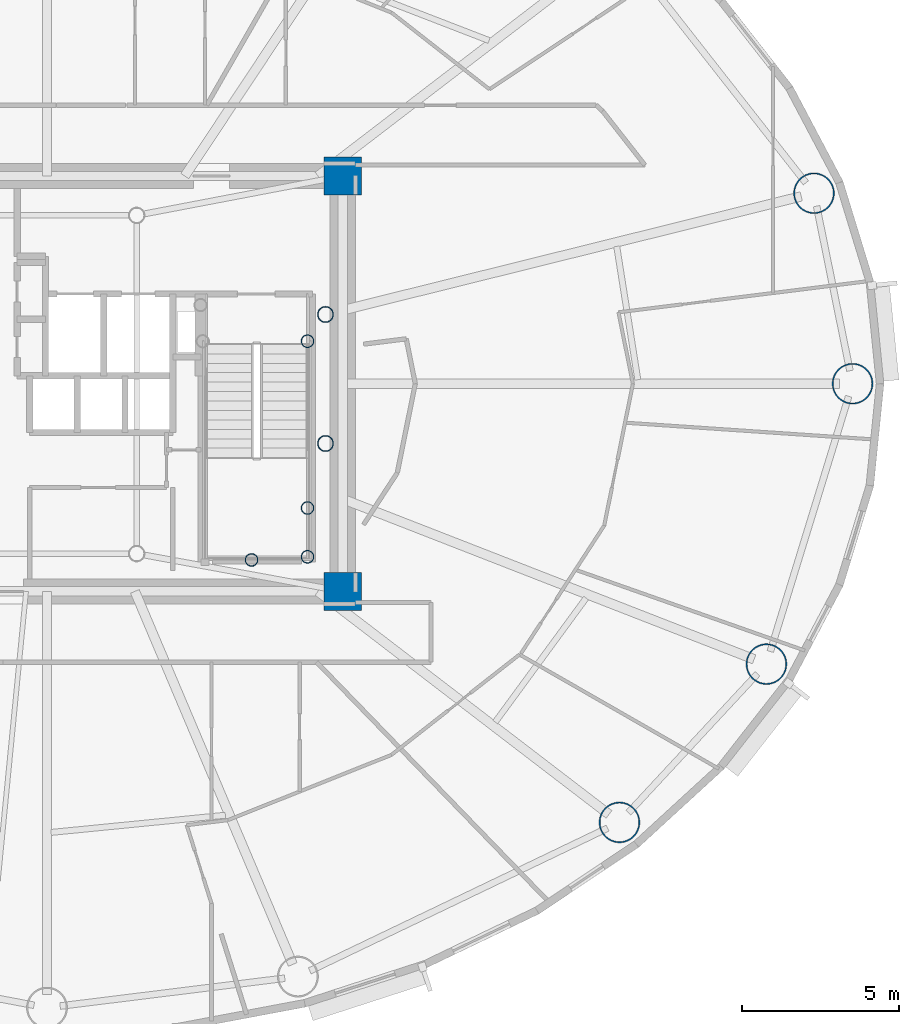
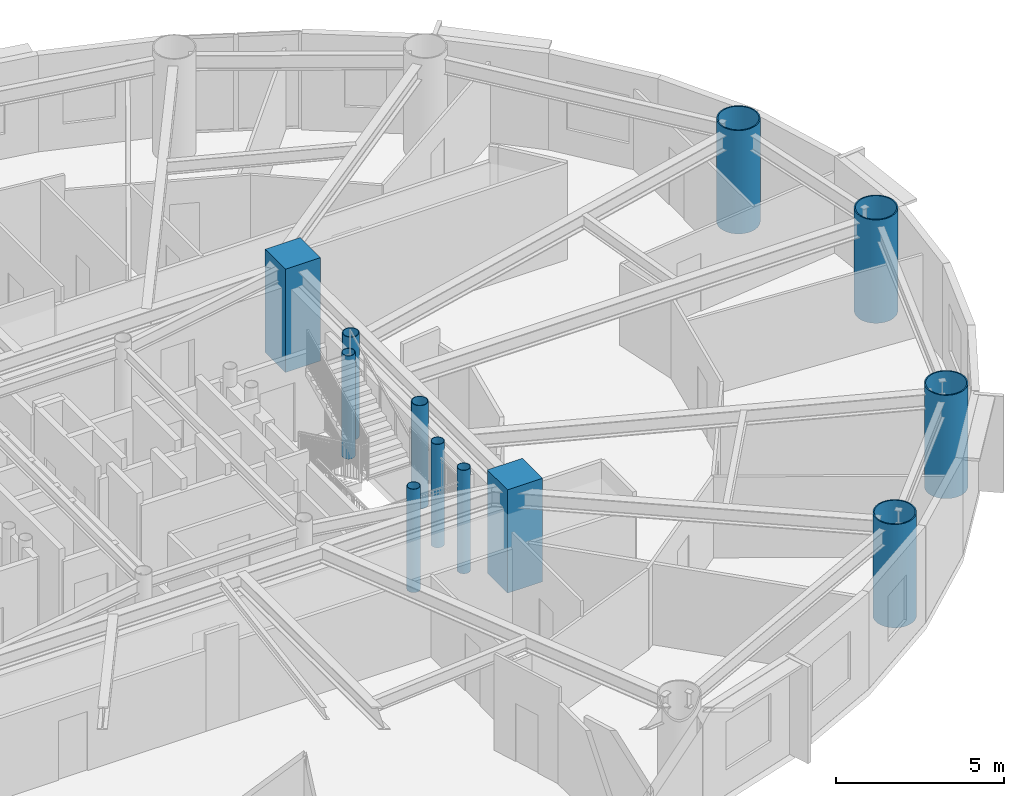
# One storey, part 2 of 17: 12 columns.
"""IFC4 building model written with IfcOpenShell, lengths in metres."""

from ifc_helpers import new_model, si_unit, direction, frame, origin, origin_2d, place, context, subcontext, project, spatial, rectangle, hollow_circle, extrude, material, material_profile, profile_set, type_object, element, save


model = new_model("IFC4")

# Units and contexts
model_context = context("Model", 3, precision=1e-05, world=origin(), true_north=direction((0.0, 1.0)))
body_context = subcontext(model_context, "Body", "Model", "MODEL_VIEW")
ifc_project = project(units=[si_unit("LENGTHUNIT", "METRE"), si_unit("AREAUNIT", "SQUARE_METRE"), si_unit("VOLUMEUNIT", "CUBIC_METRE"), si_unit("PLANEANGLEUNIT", "RADIAN"), si_unit("MASSUNIT", "GRAM", prefix="KILO")], contexts=[model_context])

# Site, building, storey
site_placement = place(None, origin())
site = spatial("IfcSite", under=ifc_project, at=site_placement, CompositionType="ELEMENT")
building_placement = place(site_placement, origin())
building = spatial("IfcBuilding", under=site, at=building_placement, Name="Linh Dai School and Residence Tower", CompositionType="ELEMENT")
storey_placement = place(building_placement, frame((0.0, 0.0, 197.39990234375)))
storey = spatial("IfcBuildingStorey", under=building, at=storey_placement, Name="L48", CompositionType="ELEMENT", Elevation=197.39990234375)

# Columns
ifc_material_1 = material(Name="Concrete B60 (C50/60)", Category="concrete")
ifc_material_profile_1 = material_profile(ifc_material_1, rectangle(XDim=1.199951171875, YDim=1.199951171875, at=origin_2d()), Name="RC 1200x1200")
ifc_profile_set_1 = profile_set([ifc_material_profile_1], Name="Concrete B60 (C50/60)")
column_type_1 = type_object("IfcColumnType", Name="COL-CC2", PredefinedType="COLUMN", material=ifc_profile_set_1)
for number, where, z_axis, x_axis, name in (
    (1, (45.39990234375, 20.39990234375, 0.0), (0.0, 0.0, 1.0), (1.0, 0.0, 0.0), "L48 Core Corner Pier CC2"),
    (2, (45.39990234375, 33.60009765625, 0.0), (0.0, 0.0, 1.0), (1.0, 0.0, 0.0), "L48 Core Corner Pier CC3"),
):
    element("IfcColumn", number, at=place(storey_placement, frame(where, z_axis=z_axis, x_axis=x_axis)), inside=storey, type_object=column_type_1, Name=name, PredefinedType="COLUMN", context=body_context, shape_type="SweptSolid", body=[
        extrude(rectangle(XDim=1.199951171875, YDim=1.199951171875, at=origin_2d()), origin(), (0.0, 0.0, 1.0), 3.75),
    ])
ifc_material_2 = material(Name="Structural Steel S355JR", Category="steel")
ifc_material_profile_2 = material_profile(ifc_material_2, hollow_circle(Radius=0.203125, WallThickness=0.01611328125, at=origin_2d()), Name="CHS 406.4x16")
ifc_profile_set_2 = profile_set([ifc_material_profile_2], Name="Structural Steel S355JR")
column_type_2 = type_object("IfcColumnType", Name="COL-EC", PredefinedType="COLUMN", material=ifc_profile_set_2)
for number, where, z_axis, x_axis, name in (
    (3, (44.280029296875, 21.5, 0.0), (0.0, 0.0, 1.0), (1.0, 0.0, 0.0), "L48 Stair Shaft Landing Support Pier ST2SE"),
    (4, (44.280029296875, 23.050048828125, 0.0), (0.0, 0.0, 1.0), (1.0, 0.0, 0.0), "L48 Stair Shaft Landing Support Pier ST2NE"),
    (5, (42.5, 21.39990234375, 0.0), (0.0, 0.0, 1.0), (1.0, 0.0, 0.0), "L48 Stair Shaft Landing Support Pier ST2MS"),
    (6, (44.280029296875, 28.35009765625, 0.0), (0.0, 0.0, 1.0), (1.0, 0.0, 0.0), "L48 Stair Shaft Landing Support Pier ST2N2"),
):
    element("IfcColumn", number, at=place(storey_placement, frame(where, z_axis=z_axis, x_axis=x_axis)), inside=storey, type_object=column_type_2, Name=name, PredefinedType="COLUMN", context=body_context, shape_type="SweptSolid", body=[
        extrude(hollow_circle(Radius=0.203125, WallThickness=0.01611328125, at=origin_2d()), origin(), (0.0, 0.0, 1.0), 3.75),
    ])
ifc_material_profile_3 = material_profile(ifc_material_2, hollow_circle(Radius=0.64990234375, WallThickness=0.0400390625, at=origin_2d()), Name="CHS 1300x40")
ifc_profile_set_3 = profile_set([ifc_material_profile_3], Name="Structural Steel S355JR")
column_type_3 = type_object("IfcColumnType", Name="COL-MC4", PredefinedType="COLUMN", material=ifc_profile_set_3)
for number, where, z_axis, x_axis, name in (
    (7, (61.60009765625, 27.0, 0.0), (0.0, 0.0, 1.0), (1.0, 0.0, 0.0), "L48 Perimeter CFT Mega-Column MC01"),
    (8, (60.37451171875, 33.053466796875, 0.0), (0.0, 0.0, 1.0), (1.0, 0.0, 0.0), "L48 Perimeter CFT Mega-Column MC02"),
    (9, (54.1923828125, 13.058349609375, 0.0), (0.0, 0.0, 1.0), (1.0, 0.0, 0.0), "L48 Perimeter CFT Mega-Column MC15"),
    (10, (58.862548828125, 18.0888671875, 0.0), (0.0, 0.0, 1.0), (1.0, 0.0, 0.0), "L48 Perimeter CFT Mega-Column MC16"),
):
    element("IfcColumn", number, at=place(storey_placement, frame(where, z_axis=z_axis, x_axis=x_axis)), inside=storey, type_object=column_type_3, Name=name, PredefinedType="COLUMN", context=body_context, shape_type="SweptSolid", body=[
        extrude(hollow_circle(Radius=0.64990234375, WallThickness=0.0400390625, at=origin_2d()), origin(), (0.0, 0.0, 1.0), 3.75),
    ])
ifc_material_profile_4 = material_profile(ifc_material_2, hollow_circle(Radius=0.25390625, WallThickness=0.02001953125, at=origin_2d()), Name="CHS 508x20")
ifc_profile_set_4 = profile_set([ifc_material_profile_4], Name="Structural Steel S355JR")
column_type_4 = type_object("IfcColumnType", Name="COL-MCP", PredefinedType="COLUMN", material=ifc_profile_set_4)
for number, where, z_axis, x_axis, name in (
    (11, (44.85009765625, 25.10009765625, 0.0), (0.0, 0.0, 1.0), (1.0, 0.0, 0.0), "L48 Sky-Lounge Core Anchor Pier S"),
    (12, (44.85009765625, 29.199951171875, 0.0), (0.0, 0.0, 1.0), (1.0, 0.0, 0.0), "L48 Sky-Lounge Core Anchor Pier N"),
):
    element("IfcColumn", number, at=place(storey_placement, frame(where, z_axis=z_axis, x_axis=x_axis)), inside=storey, type_object=column_type_4, Name=name, PredefinedType="COLUMN", context=body_context, shape_type="SweptSolid", body=[
        extrude(hollow_circle(Radius=0.25390625, WallThickness=0.02001953125, at=origin_2d()), origin(), (0.0, 0.0, 1.0), 3.75),
    ])

save(model, "model.ifc")
